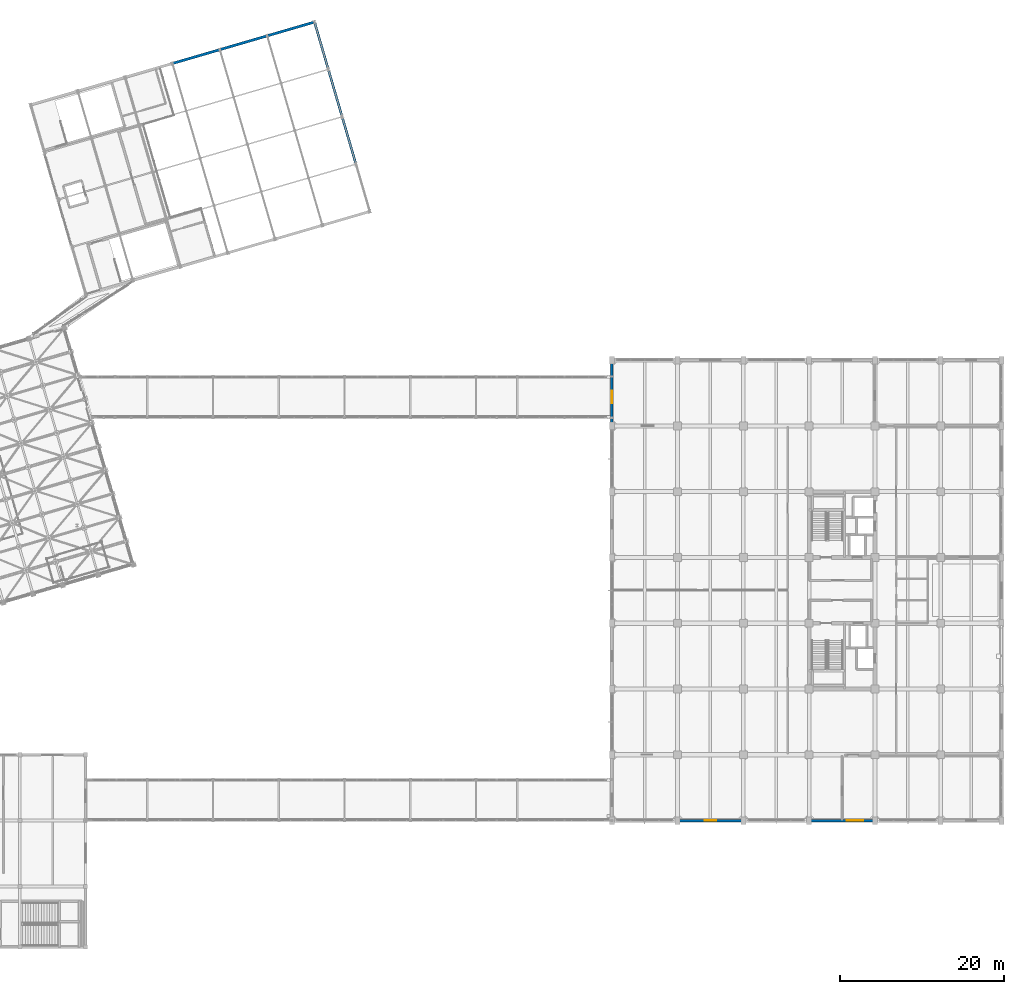
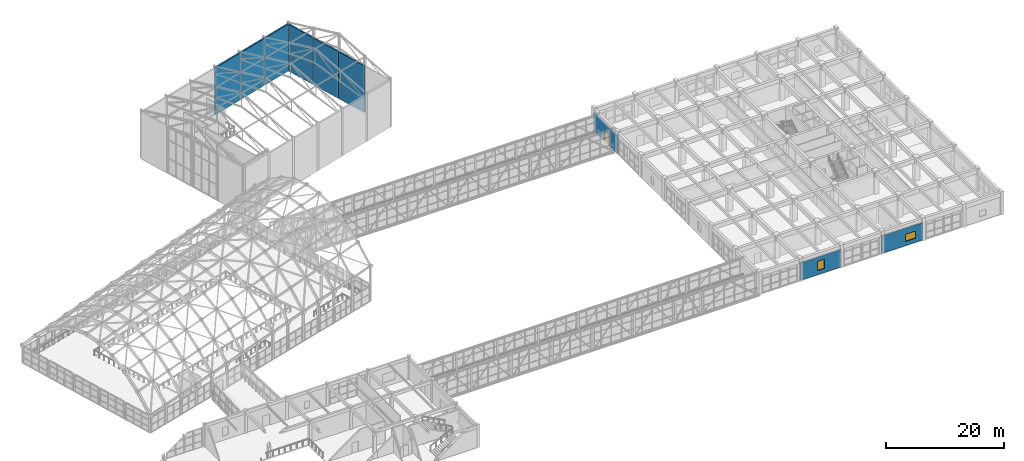
# One storey, part 227 of 248: 9 walls, 2 windows, 1 door, 3 openings.
"""IFC4 building model written with IfcOpenShell, lengths in metres."""

from ifc_helpers import new_model, si_unit, direction, frame, frame_2d, origin, place, context, subcontext, project, spatial, rectangle, extrude, material, layer, layer_set, type_object, element, fill, save


model = new_model("IFC4")

# Units and contexts
model_context = context("Model", 3, precision=1e-05, world=origin(), true_north=direction((0.0, 1.0)))
body_context = subcontext(model_context, "Body", "Model", "MODEL_VIEW")
ifc_project = project(units=[si_unit("LENGTHUNIT", "METRE"), si_unit("AREAUNIT", "SQUARE_METRE"), si_unit("VOLUMEUNIT", "CUBIC_METRE"), si_unit("PLANEANGLEUNIT", "RADIAN"), si_unit("MASSUNIT", "GRAM", prefix="KILO")], contexts=[model_context])

# Site, building, storey
site_placement = place(None, origin())
site = spatial("IfcSite", under=ifc_project, at=site_placement, CompositionType="ELEMENT")
building_placement = place(site_placement, origin())
building = spatial("IfcBuilding", under=site, at=building_placement, Name="Canggui Botanical Conservatory", CompositionType="ELEMENT")
storey_placement = place(building_placement, frame((0.0, 0.0, 5.39990234375)))
storey = spatial("IfcBuildingStorey", under=building, at=storey_placement, Name="L02", CompositionType="ELEMENT", Elevation=5.39990234375)

# Wall, opening, window
ifc_material_1 = material(Name="Precast Concrete C40", Category="concrete")
ifc_layer_1 = layer(ifc_material_1, 0.300048828125, Name="Precast Concrete C40", Category="concrete")
ifc_layer_set_1 = layer_set([ifc_layer_1], Name="Precast Concrete C40")
wall_type_1 = type_object("IfcWallType", Name="EW-300", PredefinedType="STANDARD", material=ifc_layer_set_1)
wall_1_placement = place(storey_placement, frame((162.0, 26.0, 0.0), z_axis=(0.0, 0.0, 1.0), x_axis=(-1.0, 0.0, 0.0)))
wall_1 = element("IfcWall", 1, at=wall_1_placement, inside=storey, type_object=wall_type_1, Name="Tower Insulated Exterior Wall L02-S3", PredefinedType="STANDARD", context=body_context, shape_type="SweptSolid", body=[
    extrude(rectangle(XDim=8.0, YDim=0.300048828125, at=frame_2d((4.0, 0.0))), origin(), (0.0, 0.0, 1.0), 3.60009765625),
])
opening_1_placement = place(wall_1_placement, frame((1.43310546875, 0.0, 0.85009765625)))
opening_1 = element("IfcOpeningElement", 2, at=opening_1_placement, cuts=wall_1, Name="Opening W-11", PredefinedType="OPENING", context=body_context, shape_type="SweptSolid", body=[
    extrude(rectangle(XDim=2.0, YDim=1.5, at=frame_2d((1.0, 0.75))), frame((0.0, 0.16015625, 0.0), z_axis=(0.0, -1.0, 0.0), x_axis=(1.0, 0.0, 0.0)), (0.0, 0.0, 1.0), 0.320068359375),
])
ifc_material_2 = material(Name="Low-E Insulated Glass", Category="glass")
window_type_1 = type_object("IfcWindowType", Name="WIN-11", PartitioningType="DOUBLE_PANEL_VERTICAL", PredefinedType="WINDOW", material=ifc_material_2)
window_1_placement = place(opening_1_placement, origin())
window_1 = element("IfcWindow", 3, at=window_1_placement, inside=storey, type_object=window_type_1, Name="Tower Window L02-3", OverallHeight=1.5, OverallWidth=2.0, PartitioningType="SINGLE_PANEL", PredefinedType="WINDOW", context=body_context, shape_type="SweptSolid", body=[
    extrude(rectangle(XDim=2.0, YDim=1.5, at=frame_2d((1.0, 0.75))), frame((0.0, 0.030029296875, 0.0), z_axis=(0.0, -1.0, 0.0), x_axis=(1.0, 0.0, 0.0)), (0.0, 0.0, 1.0), 0.06005859375),
])
fill(opening_1, window_1)

wall_2_placement = place(storey_placement, frame((146.0, 26.0, 0.0), z_axis=(0.0, 0.0, 1.0), x_axis=(-1.0, 0.0, 0.0)))
wall_2 = element("IfcWall", 4, at=wall_2_placement, inside=storey, type_object=wall_type_1, Name="Tower Insulated Exterior Wall L02-S5", PredefinedType="STANDARD", context=body_context, shape_type="SweptSolid", body=[
    extrude(rectangle(XDim=8.0, YDim=0.300048828125, at=frame_2d((4.0, 0.0))), origin(), (0.0, 0.0, 1.0), 3.60009765625),
])
opening_2_placement = place(wall_2_placement, frame((3.300048828125, 0.0, 0.85009765625)))
opening_2 = element("IfcOpeningElement", 5, at=opening_2_placement, cuts=wall_2, Name="Opening W-14", PredefinedType="OPENING", context=body_context, shape_type="SweptSolid", body=[
    extrude(rectangle(XDim=1.39990234375, YDim=1.89990234375, at=frame_2d((0.699951171875, 0.949951171875))), frame((0.0, 0.16015625, 0.0), z_axis=(0.0, -1.0, 0.0), x_axis=(1.0, 0.0, 0.0)), (0.0, 0.0, 1.0), 0.320068359375),
])
window_type_2 = type_object("IfcWindowType", Name="WIN-14", PartitioningType="SINGLE_PANEL", PredefinedType="WINDOW", material=ifc_material_2)
window_2_placement = place(opening_2_placement, origin())
window_2 = element("IfcWindow", 6, at=window_2_placement, inside=storey, type_object=window_type_2, Name="Tower Window L02-5", OverallHeight=1.89990234375, OverallWidth=1.39990234375, PartitioningType="SINGLE_PANEL", PredefinedType="WINDOW", context=body_context, shape_type="SweptSolid", body=[
    extrude(rectangle(XDim=1.39990234375, YDim=1.89990234375, at=frame_2d((0.699951171875, 0.949951171875))), frame((0.0, 0.030029296875, 0.0), z_axis=(0.0, -1.0, 0.0), x_axis=(1.0, 0.0, 0.0)), (0.0, 0.0, 1.0), 0.06005859375),
])
fill(opening_2, window_2)

# Wall, opening, door
wall_3_placement = place(storey_placement, frame((130.0, 74.0, 0.0), z_axis=(0.0, 0.0, 1.0), x_axis=(0.0, 1.0, 0.0)))
wall_3 = element("IfcWall", 7, at=wall_3_placement, inside=storey, type_object=wall_type_1, Name="Tower Insulated Exterior Wall L02-W13", PredefinedType="STANDARD", context=body_context, shape_type="SweptSolid", body=[
    extrude(rectangle(XDim=8.0, YDim=0.300048828125, at=frame_2d((4.0, 0.0))), origin(), (0.0, 0.0, 1.0), 3.550048828125),
])
opening_3_placement = place(wall_3_placement, frame((2.75, 0.0, 0.0)))
opening_3 = element("IfcOpeningElement", 8, at=opening_3_placement, cuts=wall_3, Name="Opening TD-01", PredefinedType="OPENING", context=body_context, shape_type="SweptSolid", body=[
    extrude(rectangle(XDim=1.5, YDim=2.25, at=frame_2d((0.75, 1.125))), frame((0.0, 0.16015625, 0.0), z_axis=(0.0, -1.0, 0.0), x_axis=(1.0, 0.0, 0.0)), (0.0, 0.0, 1.0), 0.320068359375),
])
ifc_material_3 = material(Name="Anodised Aluminium", Category="aluminium")
door_type = type_object("IfcDoorType", Name="EDR-TER15", OperationType="NOTDEFINED", PredefinedType="DOOR", material=ifc_material_3)
door_placement = place(opening_3_placement, origin())
door = element("IfcDoor", 9, at=door_placement, inside=storey, type_object=door_type, Name="Skybridge Compartment Fire Door L02-13", OperationType="SINGLE_SWING_LEFT", OverallHeight=2.25, OverallWidth=1.5, PredefinedType="DOOR", context=body_context, shape_type="SweptSolid", body=[
    extrude(rectangle(XDim=1.5, YDim=2.25, at=frame_2d((0.75, 1.125))), frame((0.0, 0.02490234375, 0.0), z_axis=(0.0, -1.0, 0.0), x_axis=(1.0, 0.0, 0.0)), (0.0, 0.0, 1.0), 0.050048828125),
])
fill(opening_3, door)

# Walls
for number, where, z_axis, x_axis, name in (
    (10, (97.199951171875, 111.60009765625, 0.0), (0.0, 0.0, 1.0), (0.279989062464, -0.960003190047, 0.0), "Auditorium Upper End Wall L02-E-1"),
    (11, (95.52001953125, 117.360107421875, 0.0), (0.0, 0.0, 1.0), (0.279989062464, -0.960003190047, 0.0), "Auditorium Upper End Wall L02-E-2"),
    (12, (93.840087890625, 123.1201171875, 0.0), (0.0, 0.0, 1.0), (0.279989062464, -0.960003190047, 0.0), "Auditorium Upper End Wall L02-E-3"),
):
    element("IfcWall", number, at=place(storey_placement, frame(where, z_axis=z_axis, x_axis=x_axis)), inside=storey, type_object=wall_type_1, Name=name, PredefinedType="STANDARD", context=body_context, shape_type="SweptSolid", body=[
        extrude(rectangle(XDim=6.0, YDim=0.300048828125, at=frame_2d((3.0, 0.0))), origin(), (0.0, 0.0, 1.0), 9.7001953125),
    ])
ifc_layer_2 = layer(ifc_material_1, 0.320068359375, Name="Precast Concrete C40", Category="concrete")
ifc_layer_set_2 = layer_set([ifc_layer_2], Name="Precast Concrete C40")
wall_type_2 = type_object("IfcWallType", Name="EW-320", PredefinedType="STANDARD", material=ifc_layer_set_2)
for number, where, z_axis, x_axis, name in (
    (13, (76.56005859375, 118.080078125, 0.0), (0.0, 0.0, 1.0), (0.960003190047, 0.279989062464, 0.0), "Auditorium Upper Acoustic Wall L02-V1-3"),
    (14, (82.320068359375, 119.760009765625, 0.0), (0.0, 0.0, 1.0), (0.960003190047, 0.279989062464, 0.0), "Auditorium Upper Acoustic Wall L02-V1-4"),
    (15, (88.080078125, 121.43994140625, 0.0), (0.0, 0.0, 1.0), (0.959992252312, 0.280026562133, 0.0), "Auditorium Upper Acoustic Wall L02-V1-5"),
):
    element("IfcWall", number, at=place(storey_placement, frame(where, z_axis=z_axis, x_axis=x_axis)), inside=storey, type_object=wall_type_2, Name=name, PredefinedType="STANDARD", context=body_context, shape_type="SweptSolid", body=[
        extrude(rectangle(XDim=6.0, YDim=0.320068359375, at=frame_2d((3.0, 0.0))), origin(), (0.0, 0.0, 1.0), 9.7001953125),
    ])

save(model, "model.ifc")
